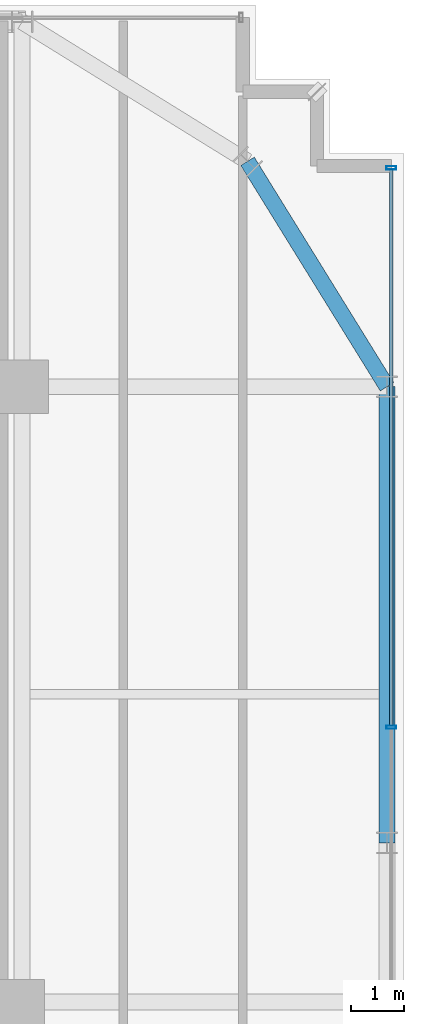
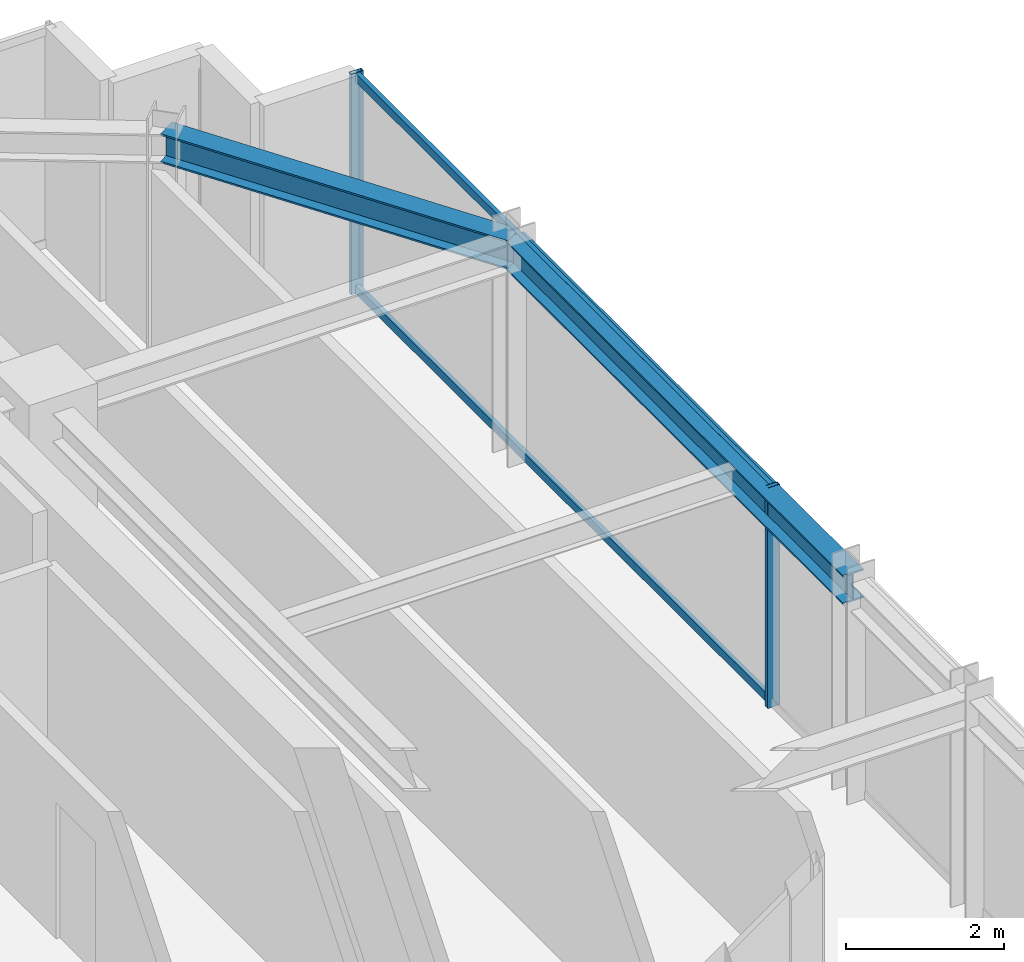
# One storey, part 26 of 41: 4 members, 2 beams, 1 element without a shape of its own.
"""IFC4 building model written with IfcOpenShell, lengths in metres."""

from ifc_helpers import new_model, si_unit, direction, frame, origin, origin_2d, place, context, subcontext, project, spatial, hollow_rectangle, i_section, extrude, source, transform, mapped, material, material_profile, profile_set, type_object, element, aggregate, save


model = new_model("IFC4")

# Units and contexts
model_context = context("Model", 3, precision=1e-05, world=origin(), true_north=direction((0.0, 1.0)))
body_context = subcontext(model_context, "Body", "Model", "MODEL_VIEW")
ifc_project = project(units=[si_unit("LENGTHUNIT", "METRE"), si_unit("AREAUNIT", "SQUARE_METRE"), si_unit("VOLUMEUNIT", "CUBIC_METRE"), si_unit("PLANEANGLEUNIT", "RADIAN"), si_unit("MASSUNIT", "GRAM", prefix="KILO")], contexts=[model_context])

# Site, building, storey
site_placement = place(None, origin())
site = spatial("IfcSite", under=ifc_project, at=site_placement, CompositionType="ELEMENT")
building_placement = place(site_placement, origin())
building = spatial("IfcBuilding", under=site, at=building_placement, Name="Nahalor Promenade Grand Hotel", CompositionType="ELEMENT")
storey_placement = place(building_placement, frame((0.0, 0.0, 227.10009765625)))
storey = spatial("IfcBuildingStorey", under=building, at=storey_placement, Name="L58", CompositionType="ELEMENT", Elevation=227.10009765625)

# Beams
ifc_material_1 = material(Name="Steel S355JR", Category="steel")
ifc_material_profile_1 = material_profile(ifc_material_1, i_section(OverallWidth=0.3, OverallDepth=0.45, WebThickness=0.014, FlangeThickness=0.026, at=origin_2d()), Name="HEB 450")
ifc_profile_set_1 = profile_set([ifc_material_profile_1], Name="Steel S355JR")
beam_type = type_object("IfcBeamType", Name="Beam-Spandrel-HEB450", PredefinedType="SPANDREL", material=ifc_profile_set_1)
shared_shape_1 = source(origin(), body_context, "Body", "SweptSolid", [
    extrude(i_section(OverallWidth=0.3, OverallDepth=0.45, WebThickness=0.014, FlangeThickness=0.026, at=origin_2d()), origin(), (0.0, 0.0, 1.0), 8.60009765625),
])
beam_1_placement = place(storey_placement, frame((23.8798828125, 8.39990234375, 3.184814453125), z_axis=(0.0, 1.0, 0.0), x_axis=(-1.0, 0.0, 0.0)))
element("IfcBeam", 1, at=beam_1_placement, inside=storey, type_object=beam_type, Name="BM-L58-SP-E-4", PredefinedType="SPANDREL", context=body_context, shape_type="MappedRepresentation", body=[
    mapped(shared_shape_1, transform((0.0, 0.0, 0.0), scale=1.0)),
])
shared_shape_2 = source(origin(), body_context, "Body", "SweptSolid", [
    extrude(i_section(OverallWidth=0.3, OverallDepth=0.45, WebThickness=0.014, FlangeThickness=0.026, at=origin_2d()), origin(), (0.0, 0.0, 1.0), 4.997802734375),
])
beam_2_placement = place(storey_placement, frame((21.25, 21.25, 3.184814453125), z_axis=(0.526199891161, -0.850360908404, 0.0), x_axis=(0.850360908404, 0.526199891161, 0.0)))
element("IfcBeam", 2, at=beam_2_placement, inside=storey, type_object=beam_type, Name="BM-L58-SPC-NE-2", PredefinedType="SPANDREL", context=body_context, shape_type="MappedRepresentation", body=[
    mapped(shared_shape_2, transform((0.0, 0.0, 0.0), scale=1.0)),
])

# Curtain wall, members
ifc_material_2 = material(Name="Anodised Bronze Aluminium EN AW-6063 T6", Category="aluminium")
curtain_wall_type = type_object("IfcCurtainWallType", Name="CW2 Typical Hotel Flush Bronze Unitised Curtain Wall", PredefinedType="USERDEFINED", material=ifc_material_2)
curtain_wall_placement = place(storey_placement, origin())
curtain_wall = element("IfcCurtainWall", 3, at=curtain_wall_placement, inside=storey, type_object=curtain_wall_type, Name="L58 Curtain Wall CW-L58-E-1", ObjectType="UNITISED_CURTAIN_WALL", PredefinedType="USERDEFINED")
ifc_material_profile_2 = material_profile(ifc_material_2, hollow_rectangle(XDim=0.065, YDim=0.13, WallThickness=0.004, at=origin_2d()), Name="CWT 65x130x4")
ifc_profile_set_2 = profile_set([ifc_material_profile_2], Name="Anodised Bronze Aluminium EN AW-6063 T6")
member_type_1 = type_object("IfcMemberType", Name="CWT2 Typical Bronze Transom 65x130", PredefinedType="USERDEFINED", material=ifc_profile_set_2)
shared_shape_3 = source(origin(), body_context, "Body", "SweptSolid", [
    extrude(hollow_rectangle(XDim=0.065, YDim=0.13, WallThickness=0.004, at=origin_2d()), origin(), (0.0, 0.0, 1.0), 10.482421875),
])
member_1_placement = place(storey_placement, frame((23.9599609375, 10.612548828125, 0.06494140625), z_axis=(0.0, 1.0, 0.0), x_axis=(-1.0, 0.0, 0.0)))
member_1 = element("IfcMember", 4, at=member_1_placement, type_object=member_type_1, Name="CW-L58-E-1 Transom 3-0", ObjectType="TRANSOM", PredefinedType="USERDEFINED", context=body_context, shape_type="MappedRepresentation", body=[
    mapped(shared_shape_3, transform((0.0, 0.0, 0.0), scale=1.0)),
])
member_2_placement = place(storey_placement, frame((23.9599609375, 10.612548828125, 3.344970703125), z_axis=(0.0, 1.0, 0.0), x_axis=(-1.0, 0.0, 0.0)))
member_2 = element("IfcMember", 5, at=member_2_placement, type_object=member_type_1, Name="CW-L58-E-1 Transom 3-1", ObjectType="TRANSOM", PredefinedType="USERDEFINED", context=body_context, shape_type="MappedRepresentation", body=[
    mapped(shared_shape_3, transform((0.0, 0.0, 0.0), scale=1.0)),
])
ifc_material_profile_3 = material_profile(ifc_material_2, hollow_rectangle(XDim=0.065, YDim=0.18, WallThickness=0.004, at=origin_2d()), Name="CWM 65x180x4")
ifc_profile_set_3 = profile_set([ifc_material_profile_3], Name="Anodised Bronze Aluminium EN AW-6063 T6")
member_type_2 = type_object("IfcMemberType", Name="CWM2 Typical Bronze Mullion 65x180", PredefinedType="MULLION", material=ifc_profile_set_3)
shared_shape_4 = source(origin(), body_context, "Body", "SweptSolid", [
    extrude(hollow_rectangle(XDim=0.065, YDim=0.18, WallThickness=0.004, at=origin_2d()), origin(), (0.0, 0.0, 1.0), 3.409912109375),
])
member_3_placement = place(storey_placement, frame((23.9599609375, 10.580078125, 0.0), z_axis=(0.0, 0.0, 1.0), x_axis=(0.0, 1.0, 0.0)))
member_3 = element("IfcMember", 6, at=member_3_placement, type_object=member_type_2, Name="CW-L58-E-1 Mullion 3", PredefinedType="MULLION", context=body_context, shape_type="MappedRepresentation", body=[
    mapped(shared_shape_4, transform((0.0, 0.0, 0.0), scale=1.0)),
])
member_4_placement = place(storey_placement, frame((23.9599609375, 21.12744140625, 0.0), z_axis=(0.0, 0.0, 1.0), x_axis=(0.0, 1.0, 0.0)))
member_4 = element("IfcMember", 7, at=member_4_placement, type_object=member_type_2, Name="CW-L58-E-1 Mullion 4", PredefinedType="MULLION", context=body_context, shape_type="MappedRepresentation", body=[
    mapped(shared_shape_4, transform((0.0, 0.0, 0.0), scale=1.0)),
])
aggregate(curtain_wall, [member_3, member_4, member_1, member_2])

save(model, "model.ifc")
